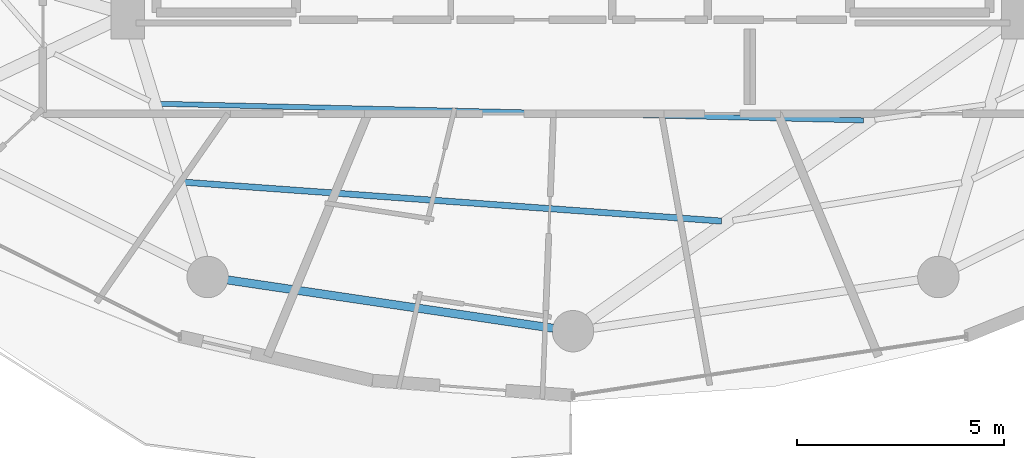
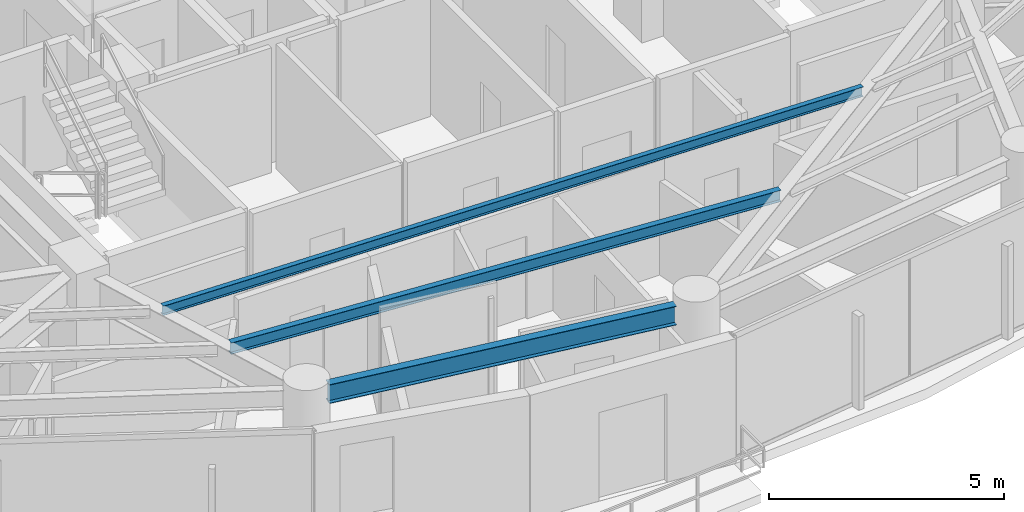
# One storey, part 4 of 28: 3 beams.
"""IFC4 building model written with IfcOpenShell, lengths in metres."""

from ifc_helpers import new_model, si_unit, direction, frame, origin, origin_2d, place, context, subcontext, project, spatial, i_section, extrude, material, material_profile, profile_set, type_object, element, save


model = new_model("IFC4")

# Units and contexts
model_context = context("Model", 3, precision=1e-05, world=origin(), true_north=direction((0.0, 1.0)))
body_context = subcontext(model_context, "Body", "Model", "MODEL_VIEW")
ifc_project = project(units=[si_unit("LENGTHUNIT", "METRE"), si_unit("AREAUNIT", "SQUARE_METRE"), si_unit("VOLUMEUNIT", "CUBIC_METRE"), si_unit("PLANEANGLEUNIT", "RADIAN"), si_unit("MASSUNIT", "GRAM", prefix="KILO")], contexts=[model_context])

# Site, building, storey
site_placement = place(None, origin())
site = spatial("IfcSite", under=ifc_project, at=site_placement, CompositionType="ELEMENT")
building_placement = place(site_placement, origin())
building = spatial("IfcBuilding", under=site, at=building_placement, Name="Vorneva Point Tower", CompositionType="ELEMENT")
storey_placement = place(building_placement, frame((0.0, 0.0, 143.10009765625)))
storey = spatial("IfcBuildingStorey", under=building, at=storey_placement, Name="L38", CompositionType="ELEMENT", Elevation=143.10009765625)

# Beams
ifc_material = material(Name="Steel S355", Category="steel")
ifc_material_profile_1 = material_profile(ifc_material, i_section(OverallWidth=0.1240234375, OverallDepth=0.248046875, WebThickness=0.0048828125, FlangeThickness=0.008056640625, at=origin_2d()), Name="25B1")
ifc_profile_set_1 = profile_set([ifc_material_profile_1], Name="Steel S355")
beam_type_1 = type_object("IfcBeamType", Name="BM-JST-25B1", PredefinedType="JOIST", material=ifc_profile_set_1)
beam_1_placement = place(storey_placement, frame((28.0439453125, 14.290283203125, 3.115966796875), z_axis=(0.999721995287, -0.023578213231, 0.0), x_axis=(0.023578213231, 0.999721995287, 0.0)))
element("IfcBeam", 1, at=beam_1_placement, inside=storey, type_object=beam_type_1, Name="L38 Secondary Floor Beam 2.12", PredefinedType="JOIST", context=body_context, shape_type="SweptSolid", body=[
    extrude(i_section(OverallWidth=0.1240234375, OverallDepth=0.248046875, WebThickness=0.0048828125, FlangeThickness=0.008056640625, at=origin_2d()), origin(), (0.0, 0.0, 1.0), 16.970947265625),
])
ifc_material_profile_2 = material_profile(ifc_material, i_section(OverallWidth=0.14892578125, OverallDepth=0.298095703125, WebThickness=0.005615234375, FlangeThickness=0.008056640625, at=origin_2d()), Name="30B1")
ifc_profile_set_2 = profile_set([ifc_material_profile_2], Name="Steel S355")
beam_type_2 = type_object("IfcBeamType", Name="BM-JST-30B1", PredefinedType="JOIST", material=ifc_profile_set_2)
beam_2_placement = place(storey_placement, frame((28.61767578125, 12.397216796875, 3.0908203125), z_axis=(0.997392598268, -0.072166508296, 0.0), x_axis=(0.072166508296, 0.997392598268, 0.0)))
element("IfcBeam", 2, at=beam_2_placement, inside=storey, type_object=beam_type_2, Name="L38 Secondary Floor Beam 1.12", PredefinedType="JOIST", context=body_context, shape_type="SweptSolid", body=[
    extrude(i_section(OverallWidth=0.14892578125, OverallDepth=0.298095703125, WebThickness=0.005615234375, FlangeThickness=0.008056640625, at=origin_2d()), origin(), (0.0, 0.0, 1.0), 13.0009765625),
])
ifc_material_profile_3 = material_profile(ifc_material, i_section(OverallWidth=0.199951171875, OverallDepth=0.491943359375, WebThickness=0.0087890625, FlangeThickness=0.011962890625, at=origin_2d()), Name="50B1")
ifc_profile_set_3 = profile_set([ifc_material_profile_3], Name="Steel S355")
beam_type_3 = type_object("IfcBeamType", Name="BM-SPN-50B1", PredefinedType="SPANDREL", material=ifc_profile_set_3)
beam_3_placement = place(storey_placement, frame((29.65869140625, 10.0380859375, 2.993896484375), z_axis=(0.989161199046, -0.146833655211, 0.0), x_axis=(0.146833655211, 0.989161199046, 0.0)))
element("IfcBeam", 3, at=beam_3_placement, inside=storey, type_object=beam_type_3, Name="L38 Perimeter Spandrel Ring Beam 12", PredefinedType="SPANDREL", context=body_context, shape_type="SweptSolid", body=[
    extrude(i_section(OverallWidth=0.199951171875, OverallDepth=0.491943359375, WebThickness=0.0087890625, FlangeThickness=0.011962890625, at=origin_2d()), origin(), (0.0, 0.0, 1.0), 7.94775390625),
])

save(model, "model.ifc")
